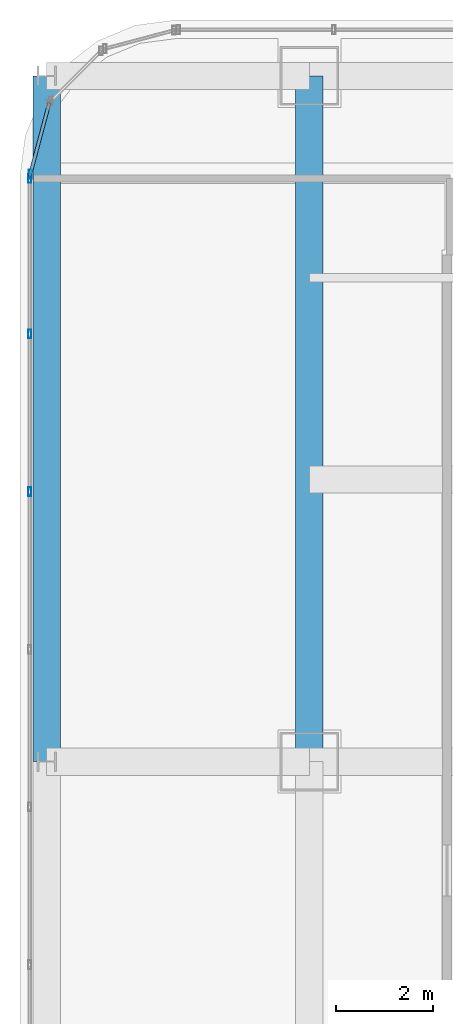
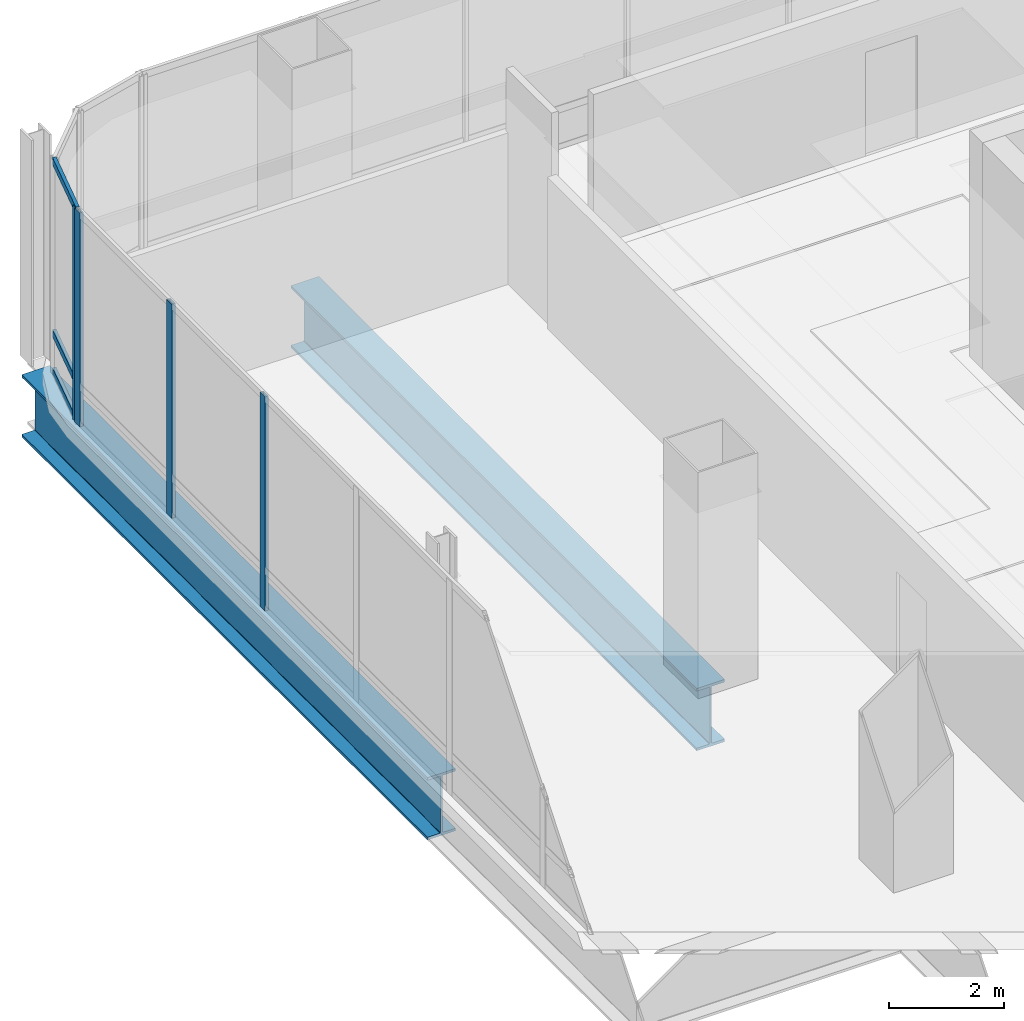
# One storey, part 23 of 44: 7 members, 2 beams, 2 elements without a shape of their own.
"""IFC4 building model written with IfcOpenShell, lengths in metres."""

import ifcopenshell
import ifcopenshell.guid

model = None  # the IFC model being written
_history = None  # IfcOwnerHistory: only IFC2X3 demands one
_inside = {}  # id of a spatial element -> (the spatial element, [elements in it])
_under = {}  # id of a project, library or spatial element -> (it, [spatial elements below it])
_declared = {}  # id of a project -> (the project, [libraries it declares])
_typed = {}  # id of a type object -> (the type object, [elements of that type])
_made_of = {}  # id of a material, layer set ... -> (it, [elements and type objects made of it])


def new_model(schema):
    """Start an empty IFC model of exactly this schema.

    Asked for "IFC4X3", IfcOpenShell would pick the latest addendum, in which some entities
    have other attributes; the version numbers below select the first issue.
    IFC2X3 requires an IfcOwnerHistory on every rooted entity: one is made here for all.
    """
    global model, _history
    if schema == "IFC4X3":
        model = ifcopenshell.file(schema_version=(4, 3, 0, 0))
    else:
        model = ifcopenshell.file(schema=schema)
    _inside.clear()
    _under.clear()
    _declared.clear()
    _typed.clear()
    _made_of.clear()
    _history = None
    if model.schema == "IFC2X3":
        org = make("IfcOrganization", Name="unknown")
        user = make(
            "IfcPersonAndOrganization",
            ThePerson=make("IfcPerson", FamilyName="unknown"),
            TheOrganization=org,
        )
        app = make(
            "IfcApplication",
            ApplicationDeveloper=org,
            Version="unknown",
            ApplicationFullName="unknown",
            ApplicationIdentifier="unknown",
        )
        _history = make(
            "IfcOwnerHistory",
            OwningUser=user,
            OwningApplication=app,
            ChangeAction="ADDED",
            CreationDate=0,
        )
    return model


def make(cls, **values):
    """One entity of the class cls with the attributes given. An attribute that is None is left unset."""
    return model.create_entity(
        cls, **{name: value for name, value in values.items() if value is not None}
    )


def rooted(cls, **values):
    """An entity with a GlobalId (a new one), such as an element, a storey or a relation."""
    return make(cls, GlobalId=ifcopenshell.guid.new(), OwnerHistory=_history, **values)


def si_unit(unit_type, name, prefix=None):
    """IfcSIUnit, for example si_unit("LENGTHUNIT", "METRE", prefix="MILLI")."""
    return make("IfcSIUnit", UnitType=unit_type, Prefix=prefix, Name=name)


def assignment(units):
    """IfcUnitAssignment: the units of a project."""
    return None if units is None else make("IfcUnitAssignment", Units=units)


def point(xyz):
    """IfcCartesianPoint."""
    return None if xyz is None else make("IfcCartesianPoint", Coordinates=xyz)


def direction(xyz):
    """IfcDirection."""
    return None if xyz is None else make("IfcDirection", DirectionRatios=xyz)


def frame(location, z_axis=None, x_axis=None):
    """IfcAxis2Placement3D, a coordinate frame: its origin and axes. An axis left out is left unset."""
    return make(
        "IfcAxis2Placement3D",
        Location=point(location),
        Axis=direction(z_axis),
        RefDirection=direction(x_axis),
    )


def frame_2d(location, x_axis=None):
    """IfcAxis2Placement2D, a coordinate frame in the plane: its origin and x axis."""
    return make(
        "IfcAxis2Placement2D", Location=point(location), RefDirection=direction(x_axis)
    )


def origin():
    """The frame at (0, 0, 0) with its axes left unset."""
    return frame((0.0, 0.0, 0.0))


def origin_2d():
    """The frame at (0, 0) in the plane with its x axis left unset."""
    return frame_2d((0.0, 0.0))


def place(relative_to, where):
    """IfcLocalPlacement: puts the frame where relative to a parent placement (None: the world)."""
    return make(
        "IfcLocalPlacement", PlacementRelTo=relative_to, RelativePlacement=where
    )


def context(
    kind, dimensions, precision=None, world=None, true_north=None, identifier=None
):
    """IfcGeometricRepresentationContext, for example the 3D "Model" context."""
    return make(
        "IfcGeometricRepresentationContext",
        ContextIdentifier=identifier,
        ContextType=kind,
        CoordinateSpaceDimension=dimensions,
        Precision=precision,
        WorldCoordinateSystem=world,
        TrueNorth=true_north,
    )


def subcontext(parent, identifier, kind, view, scale=None):
    """IfcGeometricRepresentationSubContext, for example "Body" below "Model"."""
    return make(
        "IfcGeometricRepresentationSubContext",
        ContextIdentifier=identifier,
        ContextType=kind,
        ParentContext=parent,
        TargetScale=scale,
        TargetView=view,
    )


def project(units=None, contexts=None):
    """IfcProject with its units and contexts."""
    return rooted(
        "IfcProject",
        Name="project",
        RepresentationContexts=contexts,
        UnitsInContext=assignment(units),
    )


def spatial(cls, under=None, at=None, **own):
    """A site, building, storey or space (cls), placed at a placement, below another one or the project."""
    s = rooted(cls, ObjectPlacement=at, **own)
    if under is not None:
        _under.setdefault(under.id(), (under, []))[1].append(s)
    return s


def profile(cls, at=None, kind="AREA", **sizes):
    """A parametric profile (cls). Its sizes go by their IFC names, for example OverallWidth=200.0."""
    return make(cls, ProfileType=kind, Position=at, **sizes)


def hollow_rectangle(**sizes):
    """IfcRectangleHollowProfileDef."""
    return profile("IfcRectangleHollowProfileDef", **sizes)


def i_section(**sizes):
    """IfcIShapeProfileDef."""
    return profile("IfcIShapeProfileDef", **sizes)


def extrude(swept, where, along, depth):
    """IfcExtrudedAreaSolid: the profile swept, set in the frame where, extruded along a direction by depth."""
    return make(
        "IfcExtrudedAreaSolid",
        SweptArea=swept,
        Position=where,
        ExtrudedDirection=direction(along),
        Depth=depth,
    )


def shape(context_of_items, identifier, shape_type, items):
    """IfcShapeRepresentation: the items that make up one representation, for example the "Body"."""
    return make(
        "IfcShapeRepresentation",
        ContextOfItems=context_of_items,
        RepresentationIdentifier=identifier,
        RepresentationType=shape_type,
        Items=items,
    )


def material(Name=None, Category=None):
    """IfcMaterial."""
    return make("IfcMaterial", Name=Name, Category=Category)


def material_profile(
    of_material, cross_section, Name=None, Category=None, Priority=None
):
    """IfcMaterialProfile: a cross section and its material."""
    return make(
        "IfcMaterialProfile",
        Name=Name,
        Material=of_material,
        Profile=cross_section,
        Priority=Priority,
        Category=Category,
    )


def profile_set(profiles, Name=None, composite=None):
    """IfcMaterialProfileSet."""
    return make(
        "IfcMaterialProfileSet",
        Name=Name,
        MaterialProfiles=profiles,
        CompositeProfile=composite,
    )


def made_of(thing, what):
    """Note that an element or type object is made of a material, layer set ...; save() writes the relation."""
    if what is not None:
        _made_of.setdefault(what.id(), (what, []))[1].append(thing)
    return thing


def type_object(cls, material=None, **own):
    """A type object (cls), such as IfcWallType, which elements share."""
    return made_of(rooted(cls, **own), material)


def element(
    cls,
    number,
    at=None,
    inside=None,
    cuts=None,
    type_object=None,
    material=None,
    context=None,
    identifier="Body",
    shape_type=None,
    held_by="IfcProductDefinitionShape",
    body=None,
    shapes=None,
    **own,
):
    """One element of the class cls, such as IfcWall. Its Tag is "e" and its number.

    at: its placement. inside: the storey or other place that contains it. cuts: it is an
    opening in that element (IfcRelVoidsElement). A single representation is given by context,
    identifier, shape_type and body (its items); several are given by shapes. held_by: the class
    of the entity that holds the representations. save() writes the other relations.
    """
    e = rooted(cls, Tag="e%d" % number, ObjectPlacement=at, **own)
    if body is not None:
        shapes = [shape(context, identifier, shape_type, body)]
    if shapes is not None:
        e.Representation = make(held_by, Representations=shapes)
    if inside is not None:
        _inside.setdefault(inside.id(), (inside, []))[1].append(e)
    if cuts is not None:
        rooted(
            "IfcRelVoidsElement", RelatingBuildingElement=cuts, RelatedOpeningElement=e
        )
    if type_object is not None:
        _typed.setdefault(type_object.id(), (type_object, []))[1].append(e)
    return made_of(e, material)


def aggregate(whole, parts):
    """IfcRelAggregates: a whole, such as a stair, and the parts it consists of."""
    return rooted("IfcRelAggregates", RelatingObject=whole, RelatedObjects=parts)


def save(model, path):
    """Write the relations noted so far, then the file.

    IfcRelAggregates (storeys below a building ...), IfcRelContainedInSpatialStructure (elements
    in a storey), IfcRelDefinesByType, IfcRelAssociatesMaterial and IfcRelDeclares: one each for
    every whole, place, type object, material and project.
    """
    for whole, parts in _under.values():
        aggregate(whole, parts)
    for where, things in _inside.values():
        rooted(
            "IfcRelContainedInSpatialStructure",
            RelatedElements=things,
            RelatingStructure=where,
        )
    for kind, things in _typed.values():
        rooted("IfcRelDefinesByType", RelatedObjects=things, RelatingType=kind)
    for what, things in _made_of.values():
        rooted("IfcRelAssociatesMaterial", RelatedObjects=things, RelatingMaterial=what)
    for by, libraries in _declared.values():
        rooted("IfcRelDeclares", RelatingContext=by, RelatedDefinitions=libraries)
    model.write(path)


model = new_model("IFC4")

# Units and contexts
model_context = context("Model", 3, precision=1e-05, world=origin(), true_north=direction((0.0, 1.0)))
body_context = subcontext(model_context, "Body", "Model", "MODEL_VIEW")
ifc_project = project(units=[si_unit("LENGTHUNIT", "METRE"), si_unit("AREAUNIT", "SQUARE_METRE"), si_unit("VOLUMEUNIT", "CUBIC_METRE"), si_unit("PLANEANGLEUNIT", "RADIAN"), si_unit("MASSUNIT", "GRAM", prefix="KILO")], contexts=[model_context])

# Site, building, storey
site_placement = place(None, origin())
site = spatial("IfcSite", under=ifc_project, at=site_placement, CompositionType="ELEMENT")
building_placement = place(site_placement, origin())
building = spatial("IfcBuilding", under=site, at=building_placement, Name="Punatoya Terracotta Tower", CompositionType="ELEMENT")
storey_placement = place(building_placement, frame((0.0, 0.0, 334.199951171875)))
storey = spatial("IfcBuildingStorey", under=building, at=storey_placement, Name="L79", CompositionType="ELEMENT", Elevation=334.199951171875)

# Beams
ifc_material_1 = material(Name="Steel S460", Category="steel")
ifc_material_profile_1 = material_profile(ifc_material_1, i_section(OverallWidth=0.56005859375, OverallDepth=1.320068359375, WebThickness=0.035888671875, FlangeThickness=0.054931640625, FilletRadius=0.01806640625, at=origin_2d()))
ifc_profile_set_1 = profile_set([ifc_material_profile_1], Name="Steel S460")
beam_type = type_object("IfcBeamType", Name="BM-TG-BLK", PredefinedType="BEAM", material=ifc_profile_set_1)
for number, where, z_axis, x_axis, name in (
    (1, (-19.10009765625, 3.39990234375, -0.919921875), (0.0, 1.0, 0.0), (-1.0, 0.0, 0.0), "BM-L79-RG-W3"),
    (2, (-24.5, 3.39990234375, -0.919921875), (0.0, 1.0, 0.0), (-1.0, 0.0, 0.0), "BM-L79-PER-W3"),
):
    element("IfcBeam", number, at=place(storey_placement, frame(where, z_axis=z_axis, x_axis=x_axis)), inside=storey, type_object=beam_type, Name=name, PredefinedType="BEAM", context=body_context, shape_type="SweptSolid", body=[
        extrude(i_section(OverallWidth=0.56005859375, OverallDepth=1.320068359375, WebThickness=0.035888671875, FlangeThickness=0.054931640625, FilletRadius=0.01806640625, at=origin_2d()), origin(), (0.0, 0.0, 1.0), 14.10009765625),
    ])

# Curtain wall, member
ifc_material_2 = material(Name="Aluminium 6063-T6 + Double Low-E Glass", Category="aluminium")
curtain_wall_type = type_object("IfcCurtainWallType", Name="CW-OBS", PredefinedType="NOTDEFINED", material=ifc_material_2)
curtain_wall_1_placement = place(storey_placement, origin())
curtain_wall_1 = element("IfcCurtainWall", 3, at=curtain_wall_1_placement, inside=storey, type_object=curtain_wall_type, Name="L79 Curtain Wall CW-L79-CRN17", PredefinedType="NOTDEFINED")
ifc_material_3 = material(Name="Aluminium 6063-T6", Category="aluminium")
ifc_material_profile_2 = material_profile(ifc_material_3, hollow_rectangle(XDim=0.070068359375, YDim=0.179931640625, WallThickness=0.00390625, at=origin_2d()))
ifc_profile_set_2 = profile_set([ifc_material_profile_2], Name="Aluminium 6063-T6")
member_type_1 = type_object("IfcMemberType", Name="CW-MUL-M3", PredefinedType="MULLION", material=ifc_profile_set_2)
member_1_placement = place(storey_placement, frame((-24.83837890625, 15.48046875, 0.0), z_axis=(0.0, 0.0, 1.0), x_axis=(1.0, 0.0, 0.0)))
member_1 = element("IfcMember", 4, at=member_1_placement, type_object=member_type_1, Name="CW-L79-CRN17 Mullion 01", PredefinedType="MULLION", context=body_context, shape_type="SweptSolid", body=[
    extrude(hollow_rectangle(XDim=0.070068359375, YDim=0.179931640625, WallThickness=0.00390625, at=origin_2d()), origin(), (0.0, 0.0, 1.0), 4.5400390625),
])

# Curtain wall, members
curtain_wall_2_placement = place(storey_placement, origin())
curtain_wall_2 = element("IfcCurtainWall", 5, at=curtain_wall_2_placement, inside=storey, type_object=curtain_wall_type, Name="L79 Curtain Wall CW-L79-W18-1", PredefinedType="NOTDEFINED")
member_2_placement = place(storey_placement, frame((-24.85009765625, 15.391845703125, 0.0), z_axis=(0.0, 0.0, 1.0), x_axis=(1.0, 0.0, 0.0)))
member_2 = element("IfcMember", 6, at=member_2_placement, type_object=member_type_1, Name="CW-L79-W18-1 Mullion 00", PredefinedType="MULLION", context=body_context, shape_type="SweptSolid", body=[
    extrude(hollow_rectangle(XDim=0.070068359375, YDim=0.179931640625, WallThickness=0.00390625, at=origin_2d()), origin(), (0.0, 0.0, 1.0), 4.5400390625),
])
member_3_placement = place(storey_placement, frame((-24.85009765625, 12.19384765625, 0.0), z_axis=(0.0, 0.0, 1.0), x_axis=(1.0, 0.0, 0.0)))
member_3 = element("IfcMember", 7, at=member_3_placement, type_object=member_type_1, Name="CW-L79-W18-1 Mullion 01", PredefinedType="MULLION", context=body_context, shape_type="SweptSolid", body=[
    extrude(hollow_rectangle(XDim=0.070068359375, YDim=0.179931640625, WallThickness=0.00390625, at=origin_2d()), origin(), (0.0, 0.0, 1.0), 4.5400390625),
])
member_4_placement = place(storey_placement, frame((-24.85009765625, 8.95068359375, 0.0), z_axis=(0.0, 0.0, 1.0), x_axis=(1.0, 0.0, 0.0)))
member_4 = element("IfcMember", 8, at=member_4_placement, type_object=member_type_1, Name="CW-L79-W18-1 Mullion 02", PredefinedType="MULLION", context=body_context, shape_type="SweptSolid", body=[
    extrude(hollow_rectangle(XDim=0.070068359375, YDim=0.179931640625, WallThickness=0.00390625, at=origin_2d()), origin(), (0.0, 0.0, 1.0), 4.5400390625),
])
aggregate(curtain_wall_2, [member_2, member_3, member_4])

# Member
ifc_material_profile_3 = material_profile(ifc_material_3, hollow_rectangle(XDim=0.068115234375, YDim=0.14990234375, WallThickness=0.00390625, at=origin_2d()))
ifc_profile_set_3 = profile_set([ifc_material_profile_3], Name="Aluminium 6063-T6")
member_type_2 = type_object("IfcMemberType", Name="CW-TRN-TYP", PredefinedType="USERDEFINED", material=ifc_profile_set_3)
member_5_placement = place(storey_placement, frame((-24.446533203125, 16.94921875, 0.0400390625), z_axis=(-0.257847112249, -0.966185730957, 0.0), x_axis=(0.966185730957, -0.257847112249, 0.0)))
member_5 = element("IfcMember", 9, at=member_5_placement, type_object=member_type_2, Name="CW-L79-CRN17 Transom 1", ObjectType="TRANSOM", PredefinedType="USERDEFINED", context=body_context, shape_type="SweptSolid", body=[
    extrude(hollow_rectangle(XDim=0.068115234375, YDim=0.14990234375, WallThickness=0.00390625, at=origin_2d()), origin(), (0.0, 0.0, 1.0), 1.565185546875),
])

member_6_placement = place(storey_placement, frame((-24.446533203125, 16.94921875, 0.85009765625), z_axis=(-0.257847112249, -0.966185730957, 0.0), x_axis=(0.966185730957, -0.257847112249, 0.0)))
member_6 = element("IfcMember", 10, at=member_6_placement, type_object=member_type_2, Name="CW-L79-CRN17 Transom 2", ObjectType="TRANSOM", PredefinedType="USERDEFINED", context=body_context, shape_type="SweptSolid", body=[
    extrude(hollow_rectangle(XDim=0.068115234375, YDim=0.14990234375, WallThickness=0.00390625, at=origin_2d()), origin(), (0.0, 0.0, 1.0), 1.565185546875),
])

member_7_placement = place(storey_placement, frame((-24.446533203125, 16.94921875, 4.5), z_axis=(-0.257847112249, -0.966185730957, 0.0), x_axis=(0.966185730957, -0.257847112249, 0.0)))
member_7 = element("IfcMember", 11, at=member_7_placement, type_object=member_type_2, Name="CW-L79-CRN17 Transom 3", ObjectType="TRANSOM", PredefinedType="USERDEFINED", context=body_context, shape_type="SweptSolid", body=[
    extrude(hollow_rectangle(XDim=0.068115234375, YDim=0.14990234375, WallThickness=0.00390625, at=origin_2d()), origin(), (0.0, 0.0, 1.0), 1.565185546875),
])

aggregate(curtain_wall_1, [member_1, member_5, member_6, member_7])

save(model, "model.ifc")
